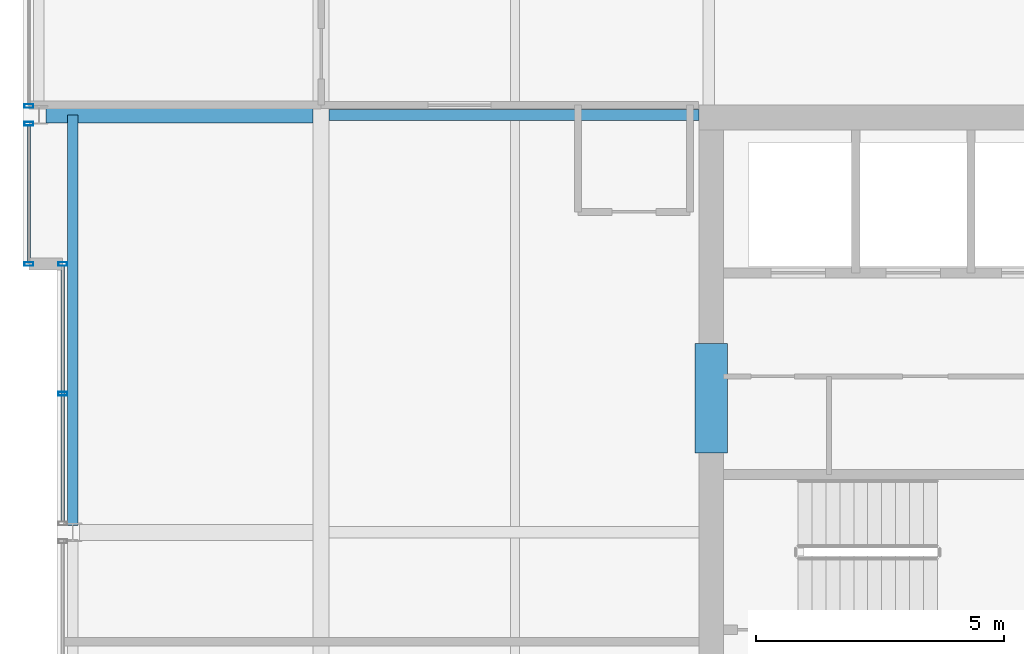
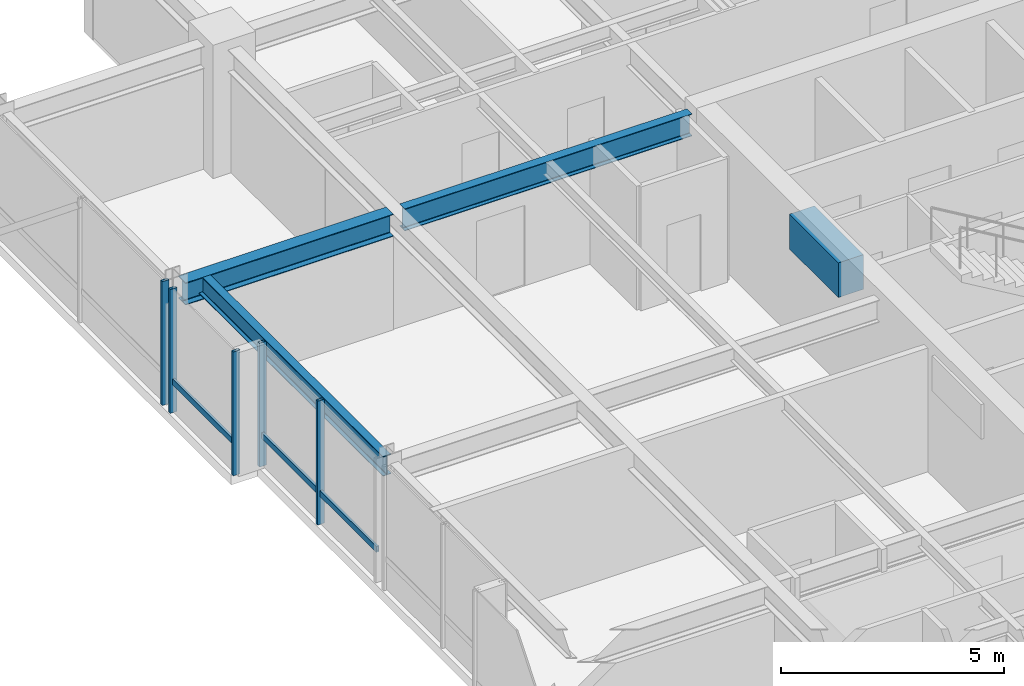
# One storey, part 13 of 33: 7 members, 4 beams, 3 elements without a shape of their own.
"""IFC4 building model written with IfcOpenShell, lengths in metres."""

from ifc_helpers import new_model, si_unit, direction, frame, origin, origin_2d, place, context, subcontext, project, spatial, rectangle, hollow_rectangle, i_section, extrude, material, layer, layer_set, material_profile, profile_set, type_object, element, aggregate, save


model = new_model("IFC4")

# Units and contexts
model_context = context("Model", 3, precision=1e-05, world=origin(), true_north=direction((0.0, 1.0)))
body_context = subcontext(model_context, "Body", "Model", "MODEL_VIEW")
ifc_project = project(units=[si_unit("LENGTHUNIT", "METRE"), si_unit("AREAUNIT", "SQUARE_METRE"), si_unit("VOLUMEUNIT", "CUBIC_METRE"), si_unit("PLANEANGLEUNIT", "RADIAN"), si_unit("MASSUNIT", "GRAM", prefix="KILO")], contexts=[model_context])

# Site, building, storey
site_placement = place(None, origin())
site = spatial("IfcSite", under=ifc_project, at=site_placement, CompositionType="ELEMENT")
building_placement = place(site_placement, origin())
building = spatial("IfcBuilding", under=site, at=building_placement, Name="Drelvath Grand Hotel", CompositionType="ELEMENT")
storey_placement = place(building_placement, frame((0.0, 0.0, 268.64990234375)))
storey = spatial("IfcBuildingStorey", under=building, at=storey_placement, Name="L70", CompositionType="ELEMENT", Elevation=268.64990234375)

# Beam
ifc_material_1 = material(Name="Concrete f'c 55 MPa", Category="concrete")
ifc_material_profile_1 = material_profile(ifc_material_1, rectangle(XDim=0.64990234375, YDim=0.949951171875, at=origin_2d()), Name="CB650X950")
ifc_profile_set_1 = profile_set([ifc_material_profile_1], Name="Concrete f'c 55 MPa")
beam_type_1 = type_object("IfcBeamType", Name="Core Coupling Lintel CB650X950", PredefinedType="LINTEL", material=ifc_profile_set_1)
beam_1_placement = place(storey_placement, frame((-8.35009765625, 28.60009765625, 2.9150390625), z_axis=(0.0, 1.0, 0.0), x_axis=(-1.0, 0.0, 0.0)))
element("IfcBeam", 1, at=beam_1_placement, inside=storey, type_object=beam_type_1, Name="L70 Core Coupling Lintel WN", PredefinedType="LINTEL", context=body_context, shape_type="SweptSolid", body=[
    extrude(rectangle(XDim=0.64990234375, YDim=0.949951171875, at=origin_2d()), origin(), (0.0, 0.0, 1.0), 2.199951171875),
])

# Curtain wall, member
ifc_material_2 = material(Name="Platinum-Mist Anodised Aluminium Frame", Category="aluminium")
ifc_layer = layer(ifc_material_2, 0.199951171875)
ifc_layer_set = layer_set([ifc_layer], Name="Platinum-Mist Anodised Aluminium Frame")
curtain_wall_type = type_object("IfcCurtainWallType", Name="Stick Curtain Wall CW-05 Platinum Mist High-Rise", PredefinedType="NOTDEFINED", material=ifc_layer_set)
curtain_wall_1_placement = place(storey_placement, origin())
curtain_wall_1 = element("IfcCurtainWall", 2, at=curtain_wall_1_placement, inside=storey, type_object=curtain_wall_type, Name="L70 CW-05 Curtain Wall CW05-L70-WM2", PredefinedType="NOTDEFINED")
ifc_material_profile_2 = material_profile(ifc_material_2, hollow_rectangle(XDim=0.06494140625, YDim=0.159912109375, WallThickness=0.00390625, at=origin_2d()), Name="HSS160X65X4")
ifc_profile_set_2 = profile_set([ifc_material_profile_2], Name="Platinum-Mist Anodised Aluminium Frame")
member_type_1 = type_object("IfcMemberType", Name="Curtain Wall Horizontal Transom CW-05 HSS160X65X4", PredefinedType="USERDEFINED", material=ifc_profile_set_2)
member_1_placement = place(storey_placement, frame((-21.39990234375, 27.21826171875, 0.84765625), z_axis=(0.0, 1.0, 0.0), x_axis=(-1.0, 0.0, 0.0)))
member_1 = element("IfcMember", 3, at=member_1_placement, type_object=member_type_1, Name="CW05-L70-WM2 Sill Transom", ObjectType="TRANSOM", PredefinedType="USERDEFINED", context=body_context, shape_type="SweptSolid", body=[
    extrude(hollow_rectangle(XDim=0.06494140625, YDim=0.159912109375, WallThickness=0.00390625, at=origin_2d()), origin(), (0.0, 0.0, 1.0), 5.141845703125),
])

curtain_wall_2_placement = place(storey_placement, origin())
curtain_wall_2 = element("IfcCurtainWall", 4, at=curtain_wall_2_placement, inside=storey, type_object=curtain_wall_type, Name="L70 CW-05 Curtain Wall CW05-L70-WN1", PredefinedType="NOTDEFINED")
member_2_placement = place(storey_placement, frame((-22.080078125, 32.43994140625, 0.84765625), z_axis=(0.0, 1.0, 0.0), x_axis=(-1.0, 0.0, 0.0)))
member_2 = element("IfcMember", 5, at=member_2_placement, type_object=member_type_1, Name="CW05-L70-WN1 Sill Transom", ObjectType="TRANSOM", PredefinedType="USERDEFINED", context=body_context, shape_type="SweptSolid", body=[
    extrude(hollow_rectangle(XDim=0.06494140625, YDim=0.159912109375, WallThickness=0.00390625, at=origin_2d()), origin(), (0.0, 0.0, 1.0), 2.741943359375),
])

# Member
ifc_material_profile_3 = material_profile(ifc_material_2, hollow_rectangle(XDim=0.074951171875, YDim=0.179931640625, WallThickness=0.0048828125, at=origin_2d()), Name="HSS180X75X5")
ifc_profile_set_3 = profile_set([ifc_material_profile_3], Name="Platinum-Mist Anodised Aluminium Frame")
member_type_2 = type_object("IfcMemberType", Name="Curtain Wall Vertical Mullion CW-05 HSS180X75X5", PredefinedType="MULLION", material=ifc_profile_set_3)
member_3_placement = place(storey_placement, frame((-21.39990234375, 29.7890625, 0.0), z_axis=(0.0, 0.0, 1.0), x_axis=(0.0, 1.0, 0.0)))
member_3 = element("IfcMember", 6, at=member_3_placement, type_object=member_type_2, Name="CW05-L70-WM2 Mullion 2", PredefinedType="MULLION", context=body_context, shape_type="SweptSolid", body=[
    extrude(hollow_rectangle(XDim=0.074951171875, YDim=0.179931640625, WallThickness=0.0048828125, at=origin_2d()), origin(), (0.0, 0.0, 1.0), 3.39013671875),
])

member_4_placement = place(storey_placement, frame((-21.39990234375, 32.39990234375, 0.0), z_axis=(0.0, 0.0, 1.0), x_axis=(0.0, 1.0, 0.0)))
member_4 = element("IfcMember", 7, at=member_4_placement, type_object=member_type_2, Name="CW05-L70-WM2 Mullion 3", PredefinedType="MULLION", context=body_context, shape_type="SweptSolid", body=[
    extrude(hollow_rectangle(XDim=0.074951171875, YDim=0.179931640625, WallThickness=0.0048828125, at=origin_2d()), origin(), (0.0, 0.0, 1.0), 3.39013671875),
])

aggregate(curtain_wall_1, [member_3, member_4, member_1])

member_5_placement = place(storey_placement, frame((-22.080078125, 32.39990234375, 0.0), z_axis=(0.0, 0.0, 1.0), x_axis=(0.0, 1.0, 0.0)))
member_5 = element("IfcMember", 8, at=member_5_placement, type_object=member_type_2, Name="CW05-L70-WN1 Mullion 1", PredefinedType="MULLION", context=body_context, shape_type="SweptSolid", body=[
    extrude(hollow_rectangle(XDim=0.074951171875, YDim=0.179931640625, WallThickness=0.0048828125, at=origin_2d()), origin(), (0.0, 0.0, 1.0), 3.39013671875),
])

member_6_placement = place(storey_placement, frame((-22.080078125, 35.2216796875, 0.0), z_axis=(0.0, 0.0, 1.0), x_axis=(0.0, 1.0, 0.0)))
member_6 = element("IfcMember", 9, at=member_6_placement, type_object=member_type_2, Name="CW05-L70-WN1 Mullion 2", PredefinedType="MULLION", context=body_context, shape_type="SweptSolid", body=[
    extrude(hollow_rectangle(XDim=0.074951171875, YDim=0.179931640625, WallThickness=0.0048828125, at=origin_2d()), origin(), (0.0, 0.0, 1.0), 3.39013671875),
])

aggregate(curtain_wall_2, [member_5, member_6, member_2])

# Curtain wall, member
curtain_wall_3_placement = place(storey_placement, origin())
curtain_wall_3 = element("IfcCurtainWall", 10, at=curtain_wall_3_placement, inside=storey, type_object=curtain_wall_type, Name="L70 CW-05 Curtain Wall CW05-L70-WN2", PredefinedType="NOTDEFINED")
member_7_placement = place(storey_placement, frame((-22.080078125, 35.578125, 0.0), z_axis=(0.0, 0.0, 1.0), x_axis=(0.0, 1.0, 0.0)))
member_7 = element("IfcMember", 11, at=member_7_placement, type_object=member_type_2, Name="CW05-L70-WN2 Mullion 1", PredefinedType="MULLION", context=body_context, shape_type="SweptSolid", body=[
    extrude(hollow_rectangle(XDim=0.074951171875, YDim=0.179931640625, WallThickness=0.0048828125, at=origin_2d()), origin(), (0.0, 0.0, 1.0), 3.39013671875),
])
aggregate(curtain_wall_3, [member_7])

# Beams
ifc_material_3 = material(Name="Steel ASTM A992 Gr 50", Category="steel")
ifc_material_profile_4 = material_profile(ifc_material_3, i_section(OverallWidth=0.210205078125, OverallDepth=0.53662109375, WebThickness=0.010986328125, FlangeThickness=0.017333984375, FilletRadius=0.01806640625, at=origin_2d()), Name="W21X68")
ifc_profile_set_4 = profile_set([ifc_material_profile_4], Name="Steel ASTM A992 Gr 50")
beam_type_2 = type_object("IfcBeamType", Name="Perimeter Spandrel Beam W21X68", PredefinedType="SPANDREL", material=ifc_profile_set_4)
beam_2_placement = place(storey_placement, frame((-21.199951171875, 27.139892578125, 3.121826171875), z_axis=(0.0, 1.0, 0.0), x_axis=(-1.0, 0.0, 0.0)))
element("IfcBeam", 12, at=beam_2_placement, inside=storey, type_object=beam_type_2, Name="L70 Spandrel West Mid N", PredefinedType="SPANDREL", context=body_context, shape_type="SweptSolid", body=[
    extrude(i_section(OverallWidth=0.210205078125, OverallDepth=0.53662109375, WebThickness=0.010986328125, FlangeThickness=0.017333984375, FilletRadius=0.01806640625, at=origin_2d()), origin(), (0.0, 0.0, 1.0), 8.260009765625),
])
ifc_material_profile_5 = material_profile(ifc_material_3, i_section(OverallWidth=0.323974609375, OverallDepth=0.611083984375, WebThickness=0.0126953125, FlangeThickness=0.01904296875, FilletRadius=0.02197265625, at=origin_2d()), Name="W24X104")
ifc_profile_set_5 = profile_set([ifc_material_profile_5], Name="Steel ASTM A992 Gr 50")
beam_type_3 = type_object("IfcBeamType", Name="Primary Floor Girder W24X104", PredefinedType="BEAM", material=ifc_profile_set_5)
beam_3_placement = place(storey_placement, frame((-21.739990234375, 35.39990234375, 3.084716796875), z_axis=(1.0, 0.0, 0.0), x_axis=(0.0, 1.0, 0.0)))
element("IfcBeam", 13, at=beam_3_placement, inside=storey, type_object=beam_type_3, Name="L70 West Wing Girder F", PredefinedType="BEAM", context=body_context, shape_type="SweptSolid", body=[
    extrude(i_section(OverallWidth=0.323974609375, OverallDepth=0.611083984375, WebThickness=0.0126953125, FlangeThickness=0.01904296875, FilletRadius=0.02197265625, at=origin_2d()), origin(), (0.0, 0.0, 1.0), 5.3779296875),
])
ifc_material_profile_6 = material_profile(ifc_material_3, i_section(OverallWidth=0.228271484375, OverallDepth=0.607666015625, WebThickness=0.01123046875, FlangeThickness=0.017333984375, FilletRadius=0.02001953125, at=origin_2d()), Name="W24X76")
ifc_profile_set_6 = profile_set([ifc_material_profile_6], Name="Steel ASTM A992 Gr 50")
beam_type_4 = type_object("IfcBeamType", Name="Primary Floor Girder W24X76", PredefinedType="BEAM", material=ifc_profile_set_6)
beam_4_placement = place(storey_placement, frame((-16.0380859375, 35.39990234375, 3.086181640625), z_axis=(1.0, 0.0, 0.0), x_axis=(0.0, 1.0, 0.0)))
element("IfcBeam", 14, at=beam_4_placement, inside=storey, type_object=beam_type_4, Name="L70 West Core Tie F", PredefinedType="BEAM", context=body_context, shape_type="SweptSolid", body=[
    extrude(i_section(OverallWidth=0.228271484375, OverallDepth=0.607666015625, WebThickness=0.01123046875, FlangeThickness=0.017333984375, FilletRadius=0.02001953125, at=origin_2d()), origin(), (0.0, 0.0, 1.0), 7.43798828125),
])

save(model, "model.ifc")
